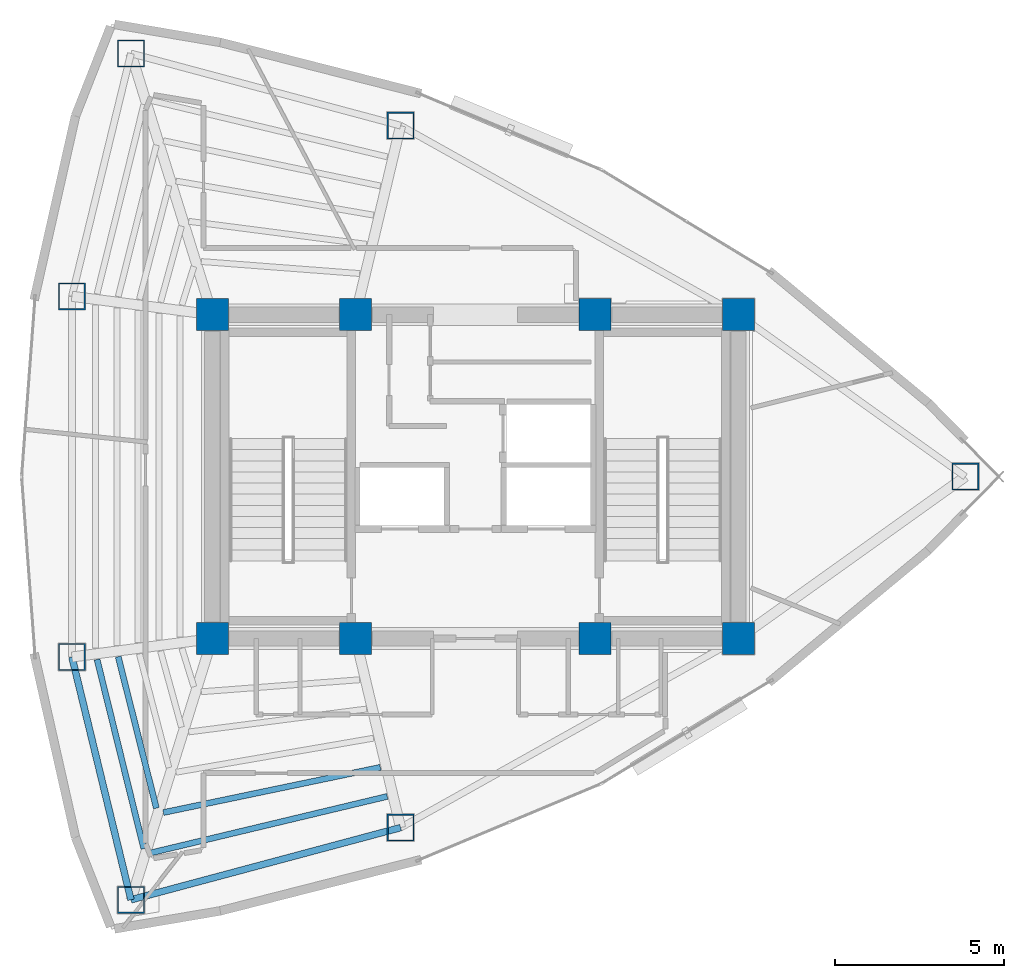
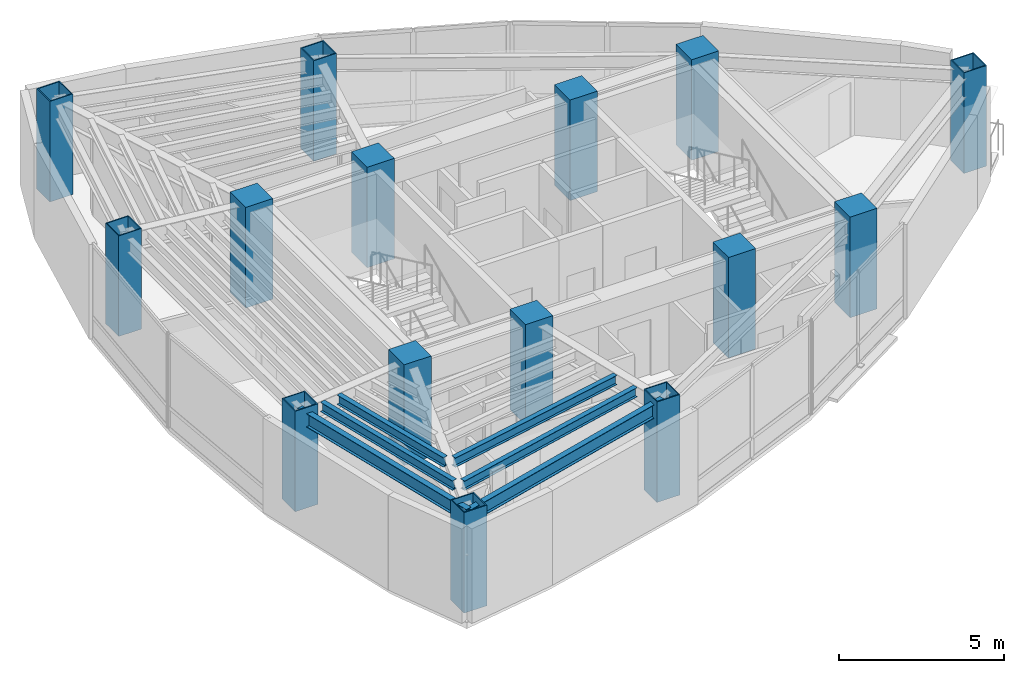
# One storey, part 1 of 15: 15 columns, 6 beams.
"""IFC4 building model written with IfcOpenShell, lengths in metres."""

from ifc_helpers import new_model, si_unit, direction, frame, origin, origin_2d, place, context, subcontext, project, spatial, rectangle, hollow_rectangle, i_section, extrude, material, material_profile, profile_set, type_object, element, save


model = new_model("IFC4")

# Units and contexts
model_context = context("Model", 3, precision=1e-05, world=origin(), true_north=direction((0.0, 1.0)))
body_context = subcontext(model_context, "Body", "Model", "MODEL_VIEW")
ifc_project = project(units=[si_unit("LENGTHUNIT", "METRE"), si_unit("AREAUNIT", "SQUARE_METRE"), si_unit("VOLUMEUNIT", "CUBIC_METRE"), si_unit("PLANEANGLEUNIT", "RADIAN"), si_unit("MASSUNIT", "GRAM", prefix="KILO")], contexts=[model_context])

# Site, building, storey
site_placement = place(None, origin())
site = spatial("IfcSite", under=ifc_project, at=site_placement, CompositionType="ELEMENT")
building_placement = place(site_placement, origin())
building = spatial("IfcBuilding", under=site, at=building_placement, Name="Menara Vayukalpa", CompositionType="ELEMENT")
storey_placement = place(building_placement, frame((0.0, 0.0, 250.860107421875)))
storey = spatial("IfcBuildingStorey", under=building, at=storey_placement, Name="L63", CompositionType="ELEMENT", Elevation=250.860107421875)

# Columns
ifc_material_1 = material(Name="Concrete C60/75", Category="concrete")
ifc_material_profile_1 = material_profile(ifc_material_1, rectangle(XDim=0.949951171875, YDim=0.949951171875, at=origin_2d()), Name="RC 950x950")
ifc_profile_set_1 = profile_set([ifc_material_profile_1], Name="Concrete C60/75")
column_type_1 = type_object("IfcColumnType", Name="COL-CC2", PredefinedType="COLUMN", material=ifc_profile_set_1)
for number, where, z_axis, x_axis, name in (
    (1, (17.800048828125, 17.199951171875, 0.0), (0.0, 0.0, 1.0), (1.0, 0.0, 0.0), "L63 Core Pilaster Column CC1"),
    (2, (22.050048828125, 17.199951171875, 0.0), (0.0, 0.0, 1.0), (1.0, 0.0, 0.0), "L63 Core Pilaster Column CC2"),
    (3, (29.14990234375, 17.199951171875, 0.0), (0.0, 0.0, 1.0), (1.0, 0.0, 0.0), "L63 Core Pilaster Column CC3"),
    (4, (33.39990234375, 17.199951171875, 0.0), (0.0, 0.0, 1.0), (1.0, 0.0, 0.0), "L63 Core Pilaster Column CC4"),
    (5, (17.800048828125, 26.800048828125, 0.0), (0.0, 0.0, 1.0), (1.0, 0.0, 0.0), "L63 Core Pilaster Column CC5"),
    (6, (22.050048828125, 26.800048828125, 0.0), (0.0, 0.0, 1.0), (1.0, 0.0, 0.0), "L63 Core Pilaster Column CC6"),
    (7, (29.14990234375, 26.800048828125, 0.0), (0.0, 0.0, 1.0), (1.0, 0.0, 0.0), "L63 Core Pilaster Column CC7"),
    (8, (33.39990234375, 26.800048828125, 0.0), (0.0, 0.0, 1.0), (1.0, 0.0, 0.0), "L63 Core Pilaster Column CC8"),
):
    element("IfcColumn", number, at=place(storey_placement, frame(where, z_axis=z_axis, x_axis=x_axis)), inside=storey, type_object=column_type_1, Name=name, PredefinedType="COLUMN", context=body_context, shape_type="SweptSolid", body=[
        extrude(rectangle(XDim=0.949951171875, YDim=0.949951171875, at=origin_2d()), origin(), (0.0, 0.0, 1.0), 3.719970703125),
    ])
ifc_material_2 = material(Name="Steel S355", Category="steel")
ifc_material_profile_2 = material_profile(ifc_material_2, hollow_rectangle(XDim=0.800048828125, YDim=0.800048828125, WallThickness=0.034912109375, at=origin_2d()), Name="BOX 800x800x35")
ifc_profile_set_2 = profile_set([ifc_material_profile_2], Name="Steel S355")
column_type_2 = type_object("IfcColumnType", Name="COL-MC5", PredefinedType="COLUMN", material=ifc_profile_set_2)
for number, where, z_axis, x_axis, name in (
    (9, (40.121826171875, 22.0, 0.0), (0.0, 0.0, 1.0), (1.0, 0.0, 0.0), "L63 Perimeter Mega Column P01"),
    (10, (23.3818359375, 32.40478515625, 0.0), (0.0, 0.0, 1.0), (1.0, 0.0, 0.0), "L63 Perimeter Mega Column P03"),
    (11, (15.38916015625, 34.544677734375, 0.0), (0.0, 0.0, 1.0), (1.0, 0.0, 0.0), "L63 Perimeter Mega Column P04"),
    (12, (13.638916015625, 27.3466796875, 0.0), (0.0, 0.0, 1.0), (1.0, 0.0, 0.0), "L63 Perimeter Mega Column P05"),
    (13, (13.638916015625, 16.6533203125, 0.0), (0.0, 0.0, 1.0), (1.0, 0.0, 0.0), "L63 Perimeter Mega Column P06"),
    (14, (15.38916015625, 9.455322265625, 0.0), (0.0, 0.0, 1.0), (1.0, 0.0, 0.0), "L63 Perimeter Mega Column P07"),
    (15, (23.3818359375, 11.59521484375, 0.0), (0.0, 0.0, 1.0), (1.0, 0.0, 0.0), "L63 Perimeter Mega Column P08"),
):
    element("IfcColumn", number, at=place(storey_placement, frame(where, z_axis=z_axis, x_axis=x_axis)), inside=storey, type_object=column_type_2, Name=name, PredefinedType="COLUMN", context=body_context, shape_type="SweptSolid", body=[
        extrude(hollow_rectangle(XDim=0.800048828125, YDim=0.800048828125, WallThickness=0.034912109375, at=origin_2d()), origin(), (0.0, 0.0, 1.0), 3.719970703125),
    ])

# Beams
ifc_material_3 = material(Name="Steel S355", Category="steel")
ifc_material_profile_3 = material_profile(ifc_material_3, i_section(OverallWidth=0.175048828125, OverallDepth=0.35009765625, WebThickness=0.007080078125, FlangeThickness=0.010986328125, at=origin_2d()), Name="WF 350x175x7x11")
ifc_profile_set_3 = profile_set([ifc_material_profile_3], Name="Steel S355")
beam_type_1 = type_object("IfcBeamType", Name="BM-SJ3", PredefinedType="JOIST", material=ifc_profile_set_3)
beam_1_placement = place(storey_placement, frame((15.010986328125, 16.6630859375, 3.324951171875), z_axis=(0.244247063973, -0.969713035769, 0.0), x_axis=(0.969713035769, 0.244247063973, 0.0)))
element("IfcBeam", 16, at=beam_1_placement, inside=storey, type_object=beam_type_1, Name="L63 Secondary Floor Joist SJ06-4", PredefinedType="JOIST", context=body_context, shape_type="SweptSolid", body=[
    extrude(i_section(OverallWidth=0.175048828125, OverallDepth=0.35009765625, WebThickness=0.007080078125, FlangeThickness=0.010986328125, at=origin_2d()), origin(), (0.0, 0.0, 1.0), 4.630859375),
])
beam_2_placement = place(storey_placement, frame((14.384033203125, 16.580810546875, 3.324951171875), z_axis=(0.239671161383, -0.970854126222, 0.0), x_axis=(0.970854126222, 0.239671161383, 0.0)))
element("IfcBeam", 17, at=beam_2_placement, inside=storey, type_object=beam_type_1, Name="L63 Secondary Floor Joist SJ06-5", PredefinedType="JOIST", context=body_context, shape_type="SweptSolid", body=[
    extrude(i_section(OverallWidth=0.175048828125, OverallDepth=0.35009765625, WebThickness=0.007080078125, FlangeThickness=0.010986328125, at=origin_2d()), origin(), (0.0, 0.0, 1.0), 5.77783203125),
])
beam_3_placement = place(storey_placement, frame((16.35009765625, 12.0419921875, 3.324951171875), z_axis=(0.978941451827, 0.204141210671, 0.0), x_axis=(-0.204141210671, 0.978941451827, 0.0)))
element("IfcBeam", 18, at=beam_3_placement, inside=storey, type_object=beam_type_1, Name="L63 Secondary Floor Joist SJ07-4", PredefinedType="JOIST", context=body_context, shape_type="SweptSolid", body=[
    extrude(i_section(OverallWidth=0.175048828125, OverallDepth=0.35009765625, WebThickness=0.007080078125, FlangeThickness=0.010986328125, at=origin_2d()), origin(), (0.0, 0.0, 1.0), 6.570556640625),
])
beam_4_placement = place(storey_placement, frame((15.97509765625, 10.845947265625, 3.324951171875), z_axis=(0.972642465748, 0.232307197097, 0.0), x_axis=(-0.232307197097, 0.972642465748, 0.0)))
element("IfcBeam", 19, at=beam_4_placement, inside=storey, type_object=beam_type_1, Name="L63 Secondary Floor Joist SJ07-5", PredefinedType="JOIST", context=body_context, shape_type="SweptSolid", body=[
    extrude(i_section(OverallWidth=0.175048828125, OverallDepth=0.35009765625, WebThickness=0.007080078125, FlangeThickness=0.010986328125, at=origin_2d()), origin(), (0.0, 0.0, 1.0), 7.20947265625),
])
ifc_material_4 = material(Name="Steel S355", Category="steel")
ifc_material_profile_4 = material_profile(ifc_material_4, i_section(OverallWidth=0.199951171875, OverallDepth=0.5, WebThickness=0.010009765625, FlangeThickness=0.01611328125, at=origin_2d()), Name="WF 500x200x10x16")
ifc_profile_set_4 = profile_set([ifc_material_profile_4], Name="Steel S355")
beam_type_2 = type_object("IfcBeamType", Name="BM-SP3", PredefinedType="SPANDREL", material=ifc_profile_set_4)
beam_5_placement = place(storey_placement, frame((13.638916015625, 16.6533203125, 3.25), z_axis=(0.236272525754, -0.97168682896, 0.0), x_axis=(0.97168682896, 0.236272525754, 0.0)))
element("IfcBeam", 20, at=beam_5_placement, inside=storey, type_object=beam_type_2, Name="L63 Perimeter Spandrel Beam SP06", PredefinedType="SPANDREL", context=body_context, shape_type="SweptSolid", body=[
    extrude(i_section(OverallWidth=0.199951171875, OverallDepth=0.5, WebThickness=0.010009765625, FlangeThickness=0.01611328125, at=origin_2d()), origin(), (0.0, 0.0, 1.0), 7.40771484375),
])
beam_6_placement = place(storey_placement, frame((15.38916015625, 9.455322265625, 3.25), z_axis=(0.965978332552, 0.258623009494, 0.0), x_axis=(-0.258623009494, 0.965978332552, 0.0)))
element("IfcBeam", 21, at=beam_6_placement, inside=storey, type_object=beam_type_2, Name="L63 Perimeter Spandrel Beam SP07", PredefinedType="SPANDREL", context=body_context, shape_type="SweptSolid", body=[
    extrude(i_section(OverallWidth=0.199951171875, OverallDepth=0.5, WebThickness=0.010009765625, FlangeThickness=0.01611328125, at=origin_2d()), origin(), (0.0, 0.0, 1.0), 8.274169921875),
])

save(model, "model.ifc")
